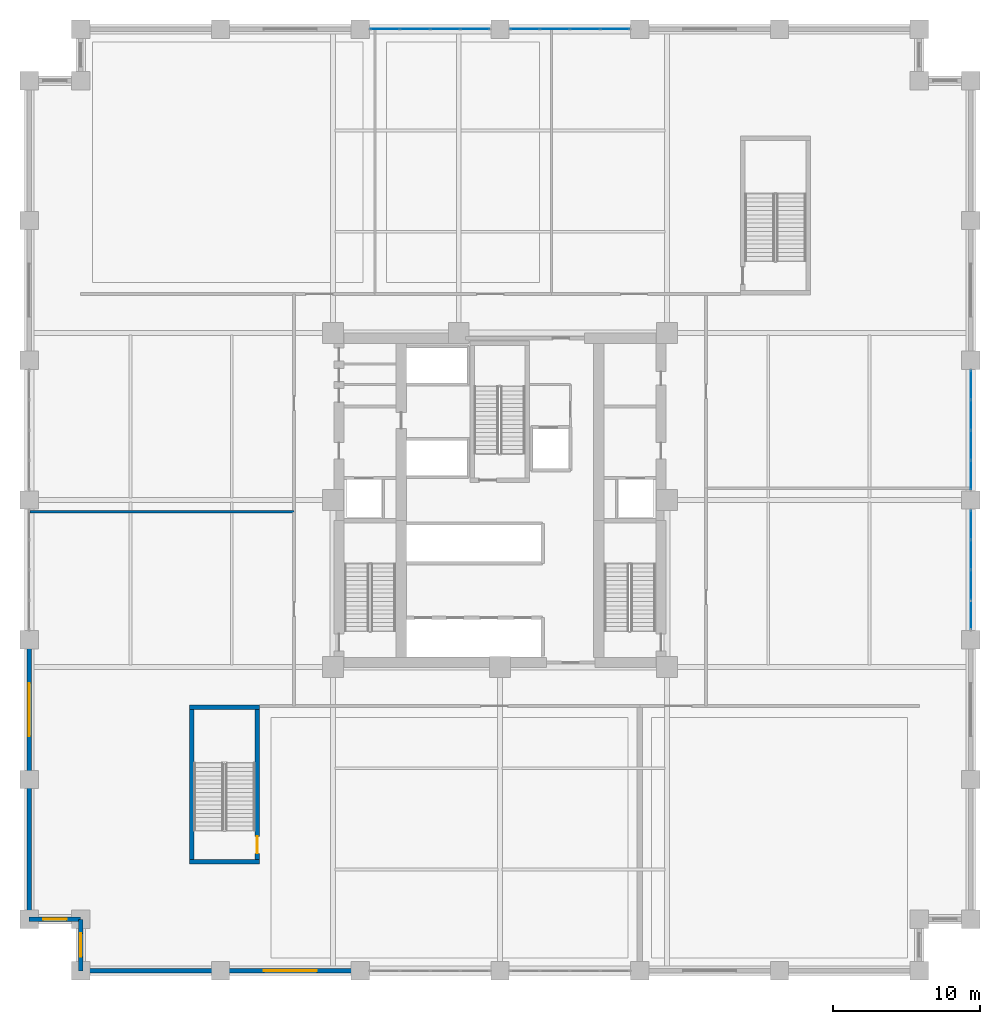
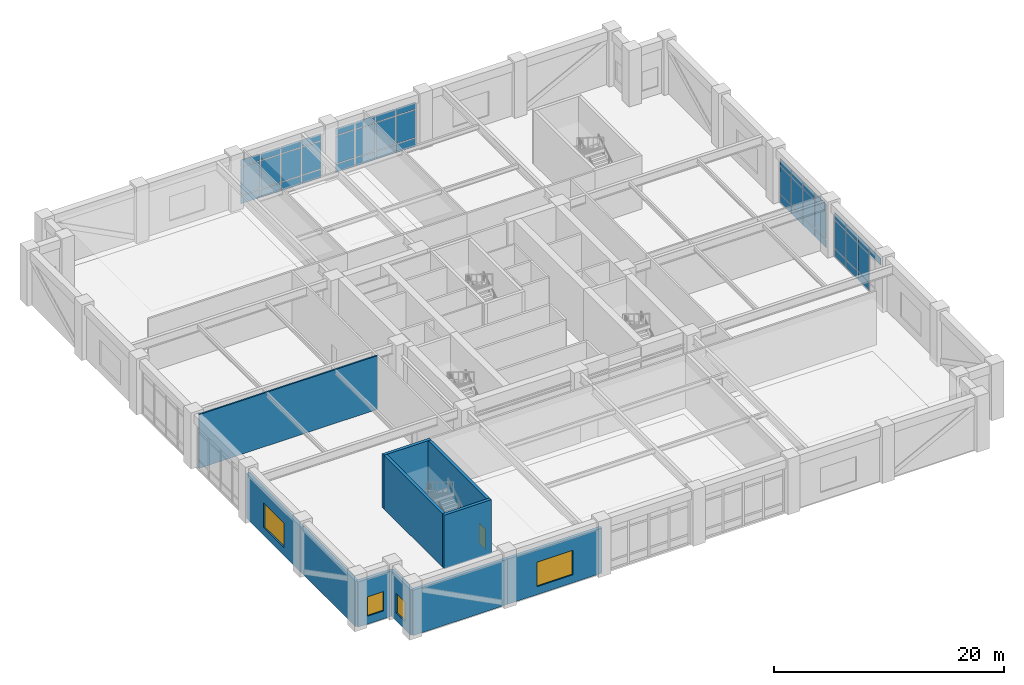
# One storey, part 11 of 21: 46 plates, 11 walls, 4 windows, 1 door, 5 openings, 4 elements without a shape of their own.
"""IFC4 building model written with IfcOpenShell, lengths in metres."""

from ifc_helpers import new_model, si_unit, direction, frame, frame_2d, origin, origin_2d, place, context, subcontext, project, spatial, rectangle, extrude, material, layer, layer_set, type_object, element, fill, aggregate, save


model = new_model("IFC4")

# Units and contexts
model_context = context("Model", 3, precision=1e-05, world=origin(), true_north=direction((0.0, 1.0)))
body_context = subcontext(model_context, "Body", "Model", "MODEL_VIEW")
ifc_project = project(units=[si_unit("LENGTHUNIT", "METRE"), si_unit("AREAUNIT", "SQUARE_METRE"), si_unit("VOLUMEUNIT", "CUBIC_METRE"), si_unit("PLANEANGLEUNIT", "RADIAN"), si_unit("MASSUNIT", "GRAM", prefix="KILO")], contexts=[model_context])

# Site, building, storey
site_placement = place(None, origin())
site = spatial("IfcSite", under=ifc_project, at=site_placement, CompositionType="ELEMENT")
building_placement = place(site_placement, origin())
building = spatial("IfcBuilding", under=site, at=building_placement, Name="Nhamokura Convention Tower", CompositionType="ELEMENT")
storey_placement = place(building_placement, frame((0.0, 0.0, 17.85009765625)))
storey = spatial("IfcBuildingStorey", under=building, at=storey_placement, Name="L03", CompositionType="ELEMENT", Elevation=17.85009765625)

# Curtain wall, plates
ifc_material_1 = material(Name="Anodised bronze aluminium AA6063-T6", Category="aluminium")
ifc_layer_1 = layer(ifc_material_1, 0.199951171875)
ifc_layer_set_1 = layer_set([ifc_layer_1], Name="CWSystem_ConventionFoyer")
curtain_wall_type = type_object("IfcCurtainWallType", Name="CWSystem_ConventionFoyer", PredefinedType="NOTDEFINED", material=ifc_layer_set_1)
curtain_wall_1_placement = place(storey_placement, origin())
curtain_wall_1 = element("IfcCurtainWall", 1, at=curtain_wall_1_placement, inside=storey, type_object=curtain_wall_type, Name="L03 Curtain Wall ENV-L03-CW-N2", PredefinedType="NOTDEFINED")
ifc_material_2 = material(Name="Solar-control bronze low-E double glass", Category="glass")
ifc_layer_2 = layer(ifc_material_2, 0.035888671875)
ifc_layer_set_2 = layer_set([ifc_layer_2], Name="CWGlazedPanel_2")
plate_type = type_object("IfcPlateType", Name="CWGlazedPanel_2", PredefinedType="CURTAIN_PANEL", material=ifc_layer_set_2)
plate_1_placement = place(storey_placement, frame((24.19384765625, 64.0, 0.074951171875), z_axis=(0.0, 0.0, 1.0), x_axis=(1.0, 0.0, 0.0)))
plate_1 = element("IfcPlate", 2, at=plate_1_placement, type_object=plate_type, Name="CW-02 panel 1.1", PredefinedType="CURTAIN_PANEL", context=body_context, shape_type="SweptSolid", body=[
    extrude(rectangle(XDim=1.9375, YDim=0.035888671875, at=origin_2d()), origin(), (0.0, 0.0, 1.0), 0.83740234375),
])
plate_2_placement = place(storey_placement, frame((24.19384765625, 64.0, 0.9873046875), z_axis=(0.0, 0.0, 1.0), x_axis=(1.0, 0.0, 0.0)))
plate_2 = element("IfcPlate", 3, at=plate_2_placement, type_object=plate_type, Name="CW-02 panel 1.2", PredefinedType="CURTAIN_PANEL", context=body_context, shape_type="SweptSolid", body=[
    extrude(rectangle(XDim=1.9375, YDim=0.035888671875, at=origin_2d()), origin(), (0.0, 0.0, 1.0), 2.93505859375),
])
plate_3_placement = place(storey_placement, frame((24.19384765625, 64.0, 3.99755859375), z_axis=(0.0, 0.0, 1.0), x_axis=(1.0, 0.0, 0.0)))
plate_3 = element("IfcPlate", 4, at=plate_3_placement, type_object=plate_type, Name="CW-02 panel 1.3", PredefinedType="CURTAIN_PANEL", context=body_context, shape_type="SweptSolid", body=[
    extrude(rectangle(XDim=1.9375, YDim=0.035888671875, at=origin_2d()), origin(), (0.0, 0.0, 1.0), 0.737548828125),
])
plate_4_placement = place(storey_placement, frame((26.22509765625, 64.0, 0.074951171875), z_axis=(0.0, 0.0, 1.0), x_axis=(1.0, 0.0, 0.0)))
plate_4 = element("IfcPlate", 5, at=plate_4_placement, type_object=plate_type, Name="CW-02 panel 2.1", PredefinedType="CURTAIN_PANEL", context=body_context, shape_type="SweptSolid", body=[
    extrude(rectangle(XDim=1.97509765625, YDim=0.035888671875, at=origin_2d()), origin(), (0.0, 0.0, 1.0), 0.83740234375),
])
plate_5_placement = place(storey_placement, frame((26.22509765625, 64.0, 0.9873046875), z_axis=(0.0, 0.0, 1.0), x_axis=(1.0, 0.0, 0.0)))
plate_5 = element("IfcPlate", 6, at=plate_5_placement, type_object=plate_type, Name="CW-02 panel 2.2", PredefinedType="CURTAIN_PANEL", context=body_context, shape_type="SweptSolid", body=[
    extrude(rectangle(XDim=1.97509765625, YDim=0.035888671875, at=origin_2d()), origin(), (0.0, 0.0, 1.0), 2.93505859375),
])
plate_6_placement = place(storey_placement, frame((26.22509765625, 64.0, 3.99755859375), z_axis=(0.0, 0.0, 1.0), x_axis=(1.0, 0.0, 0.0)))
plate_6 = element("IfcPlate", 7, at=plate_6_placement, type_object=plate_type, Name="CW-02 panel 2.3", PredefinedType="CURTAIN_PANEL", context=body_context, shape_type="SweptSolid", body=[
    extrude(rectangle(XDim=1.97509765625, YDim=0.035888671875, at=origin_2d()), origin(), (0.0, 0.0, 1.0), 0.737548828125),
])
plate_7_placement = place(storey_placement, frame((28.27490234375, 64.0, 0.074951171875), z_axis=(0.0, 0.0, 1.0), x_axis=(1.0, 0.0, 0.0)))
plate_7 = element("IfcPlate", 8, at=plate_7_placement, type_object=plate_type, Name="CW-02 panel 3.1", PredefinedType="CURTAIN_PANEL", context=body_context, shape_type="SweptSolid", body=[
    extrude(rectangle(XDim=1.97509765625, YDim=0.035888671875, at=origin_2d()), origin(), (0.0, 0.0, 1.0), 0.83740234375),
])
plate_8_placement = place(storey_placement, frame((28.27490234375, 64.0, 0.9873046875), z_axis=(0.0, 0.0, 1.0), x_axis=(1.0, 0.0, 0.0)))
plate_8 = element("IfcPlate", 9, at=plate_8_placement, type_object=plate_type, Name="CW-02 panel 3.2", PredefinedType="CURTAIN_PANEL", context=body_context, shape_type="SweptSolid", body=[
    extrude(rectangle(XDim=1.97509765625, YDim=0.035888671875, at=origin_2d()), origin(), (0.0, 0.0, 1.0), 2.93505859375),
])
plate_9_placement = place(storey_placement, frame((28.27490234375, 64.0, 3.99755859375), z_axis=(0.0, 0.0, 1.0), x_axis=(1.0, 0.0, 0.0)))
plate_9 = element("IfcPlate", 10, at=plate_9_placement, type_object=plate_type, Name="CW-02 panel 3.3", PredefinedType="CURTAIN_PANEL", context=body_context, shape_type="SweptSolid", body=[
    extrude(rectangle(XDim=1.97509765625, YDim=0.035888671875, at=origin_2d()), origin(), (0.0, 0.0, 1.0), 0.737548828125),
])
plate_10_placement = place(storey_placement, frame((30.30615234375, 64.0, 0.074951171875), z_axis=(0.0, 0.0, 1.0), x_axis=(1.0, 0.0, 0.0)))
plate_10 = element("IfcPlate", 11, at=plate_10_placement, type_object=plate_type, Name="CW-02 panel 4.1", PredefinedType="CURTAIN_PANEL", context=body_context, shape_type="SweptSolid", body=[
    extrude(rectangle(XDim=1.9375, YDim=0.035888671875, at=origin_2d()), origin(), (0.0, 0.0, 1.0), 0.83740234375),
])
plate_11_placement = place(storey_placement, frame((30.30615234375, 64.0, 0.9873046875), z_axis=(0.0, 0.0, 1.0), x_axis=(1.0, 0.0, 0.0)))
plate_11 = element("IfcPlate", 12, at=plate_11_placement, type_object=plate_type, Name="CW-02 panel 4.2", PredefinedType="CURTAIN_PANEL", context=body_context, shape_type="SweptSolid", body=[
    extrude(rectangle(XDim=1.9375, YDim=0.035888671875, at=origin_2d()), origin(), (0.0, 0.0, 1.0), 2.93505859375),
])
plate_12_placement = place(storey_placement, frame((30.30615234375, 64.0, 3.99755859375), z_axis=(0.0, 0.0, 1.0), x_axis=(1.0, 0.0, 0.0)))
plate_12 = element("IfcPlate", 13, at=plate_12_placement, type_object=plate_type, Name="CW-02 panel 4.3", PredefinedType="CURTAIN_PANEL", context=body_context, shape_type="SweptSolid", body=[
    extrude(rectangle(XDim=1.9375, YDim=0.035888671875, at=origin_2d()), origin(), (0.0, 0.0, 1.0), 0.737548828125),
])
aggregate(curtain_wall_1, [plate_1, plate_2, plate_3, plate_4, plate_5, plate_6, plate_7, plate_8, plate_9, plate_10, plate_11, plate_12])

curtain_wall_2_placement = place(storey_placement, origin())
curtain_wall_2 = element("IfcCurtainWall", 14, at=curtain_wall_2_placement, inside=storey, type_object=curtain_wall_type, Name="L03 Curtain Wall ENV-L03-CW-N3", PredefinedType="NOTDEFINED")
plate_13_placement = place(storey_placement, frame((33.69384765625, 64.0, 0.074951171875), z_axis=(0.0, 0.0, 1.0), x_axis=(1.0, 0.0, 0.0)))
plate_13 = element("IfcPlate", 15, at=plate_13_placement, type_object=plate_type, Name="CW-02 panel 1.1", PredefinedType="CURTAIN_PANEL", context=body_context, shape_type="SweptSolid", body=[
    extrude(rectangle(XDim=1.9375, YDim=0.035888671875, at=origin_2d()), origin(), (0.0, 0.0, 1.0), 0.83740234375),
])
plate_14_placement = place(storey_placement, frame((33.69384765625, 64.0, 0.9873046875), z_axis=(0.0, 0.0, 1.0), x_axis=(1.0, 0.0, 0.0)))
plate_14 = element("IfcPlate", 16, at=plate_14_placement, type_object=plate_type, Name="CW-02 panel 1.2", PredefinedType="CURTAIN_PANEL", context=body_context, shape_type="SweptSolid", body=[
    extrude(rectangle(XDim=1.9375, YDim=0.035888671875, at=origin_2d()), origin(), (0.0, 0.0, 1.0), 2.93505859375),
])
plate_15_placement = place(storey_placement, frame((33.69384765625, 64.0, 3.99755859375), z_axis=(0.0, 0.0, 1.0), x_axis=(1.0, 0.0, 0.0)))
plate_15 = element("IfcPlate", 17, at=plate_15_placement, type_object=plate_type, Name="CW-02 panel 1.3", PredefinedType="CURTAIN_PANEL", context=body_context, shape_type="SweptSolid", body=[
    extrude(rectangle(XDim=1.9375, YDim=0.035888671875, at=origin_2d()), origin(), (0.0, 0.0, 1.0), 0.737548828125),
])
plate_16_placement = place(storey_placement, frame((35.72509765625, 64.0, 0.074951171875), z_axis=(0.0, 0.0, 1.0), x_axis=(1.0, 0.0, 0.0)))
plate_16 = element("IfcPlate", 18, at=plate_16_placement, type_object=plate_type, Name="CW-02 panel 2.1", PredefinedType="CURTAIN_PANEL", context=body_context, shape_type="SweptSolid", body=[
    extrude(rectangle(XDim=1.97509765625, YDim=0.035888671875, at=origin_2d()), origin(), (0.0, 0.0, 1.0), 0.83740234375),
])
plate_17_placement = place(storey_placement, frame((35.72509765625, 64.0, 0.9873046875), z_axis=(0.0, 0.0, 1.0), x_axis=(1.0, 0.0, 0.0)))
plate_17 = element("IfcPlate", 19, at=plate_17_placement, type_object=plate_type, Name="CW-02 panel 2.2", PredefinedType="CURTAIN_PANEL", context=body_context, shape_type="SweptSolid", body=[
    extrude(rectangle(XDim=1.97509765625, YDim=0.035888671875, at=origin_2d()), origin(), (0.0, 0.0, 1.0), 2.93505859375),
])
plate_18_placement = place(storey_placement, frame((35.72509765625, 64.0, 3.99755859375), z_axis=(0.0, 0.0, 1.0), x_axis=(1.0, 0.0, 0.0)))
plate_18 = element("IfcPlate", 20, at=plate_18_placement, type_object=plate_type, Name="CW-02 panel 2.3", PredefinedType="CURTAIN_PANEL", context=body_context, shape_type="SweptSolid", body=[
    extrude(rectangle(XDim=1.97509765625, YDim=0.035888671875, at=origin_2d()), origin(), (0.0, 0.0, 1.0), 0.737548828125),
])
plate_19_placement = place(storey_placement, frame((37.77490234375, 64.0, 0.074951171875), z_axis=(0.0, 0.0, 1.0), x_axis=(1.0, 0.0, 0.0)))
plate_19 = element("IfcPlate", 21, at=plate_19_placement, type_object=plate_type, Name="CW-02 panel 3.1", PredefinedType="CURTAIN_PANEL", context=body_context, shape_type="SweptSolid", body=[
    extrude(rectangle(XDim=1.97509765625, YDim=0.035888671875, at=origin_2d()), origin(), (0.0, 0.0, 1.0), 0.83740234375),
])
plate_20_placement = place(storey_placement, frame((37.77490234375, 64.0, 0.9873046875), z_axis=(0.0, 0.0, 1.0), x_axis=(1.0, 0.0, 0.0)))
plate_20 = element("IfcPlate", 22, at=plate_20_placement, type_object=plate_type, Name="CW-02 panel 3.2", PredefinedType="CURTAIN_PANEL", context=body_context, shape_type="SweptSolid", body=[
    extrude(rectangle(XDim=1.97509765625, YDim=0.035888671875, at=origin_2d()), origin(), (0.0, 0.0, 1.0), 2.93505859375),
])
plate_21_placement = place(storey_placement, frame((37.77490234375, 64.0, 3.99755859375), z_axis=(0.0, 0.0, 1.0), x_axis=(1.0, 0.0, 0.0)))
plate_21 = element("IfcPlate", 23, at=plate_21_placement, type_object=plate_type, Name="CW-02 panel 3.3", PredefinedType="CURTAIN_PANEL", context=body_context, shape_type="SweptSolid", body=[
    extrude(rectangle(XDim=1.97509765625, YDim=0.035888671875, at=origin_2d()), origin(), (0.0, 0.0, 1.0), 0.737548828125),
])
plate_22_placement = place(storey_placement, frame((39.80615234375, 64.0, 0.074951171875), z_axis=(0.0, 0.0, 1.0), x_axis=(1.0, 0.0, 0.0)))
plate_22 = element("IfcPlate", 24, at=plate_22_placement, type_object=plate_type, Name="CW-02 panel 4.1", PredefinedType="CURTAIN_PANEL", context=body_context, shape_type="SweptSolid", body=[
    extrude(rectangle(XDim=1.9375, YDim=0.035888671875, at=origin_2d()), origin(), (0.0, 0.0, 1.0), 0.83740234375),
])
plate_23_placement = place(storey_placement, frame((39.80615234375, 64.0, 0.9873046875), z_axis=(0.0, 0.0, 1.0), x_axis=(1.0, 0.0, 0.0)))
plate_23 = element("IfcPlate", 25, at=plate_23_placement, type_object=plate_type, Name="CW-02 panel 4.2", PredefinedType="CURTAIN_PANEL", context=body_context, shape_type="SweptSolid", body=[
    extrude(rectangle(XDim=1.9375, YDim=0.035888671875, at=origin_2d()), origin(), (0.0, 0.0, 1.0), 2.93505859375),
])
plate_24_placement = place(storey_placement, frame((39.80615234375, 64.0, 3.99755859375), z_axis=(0.0, 0.0, 1.0), x_axis=(1.0, 0.0, 0.0)))
plate_24 = element("IfcPlate", 26, at=plate_24_placement, type_object=plate_type, Name="CW-02 panel 4.3", PredefinedType="CURTAIN_PANEL", context=body_context, shape_type="SweptSolid", body=[
    extrude(rectangle(XDim=1.9375, YDim=0.035888671875, at=origin_2d()), origin(), (0.0, 0.0, 1.0), 0.737548828125),
])
aggregate(curtain_wall_2, [plate_13, plate_14, plate_15, plate_16, plate_17, plate_18, plate_19, plate_20, plate_21, plate_22, plate_23, plate_24])

curtain_wall_3_placement = place(storey_placement, origin())
curtain_wall_3 = element("IfcCurtainWall", 27, at=curtain_wall_3_placement, inside=storey, type_object=curtain_wall_type, Name="L03 Curtain Wall ENV-L03-CW-E2", PredefinedType="NOTDEFINED")
plate_25_placement = place(storey_placement, frame((64.0, 30.30615234375, 0.074951171875), z_axis=(0.0, 0.0, 1.0), x_axis=(0.0, -1.0, 0.0)))
plate_25 = element("IfcPlate", 28, at=plate_25_placement, type_object=plate_type, Name="CW-02 panel 1.1", PredefinedType="CURTAIN_PANEL", context=body_context, shape_type="SweptSolid", body=[
    extrude(rectangle(XDim=1.9375, YDim=0.035888671875, at=origin_2d()), origin(), (0.0, 0.0, 1.0), 0.83740234375),
])
plate_26_placement = place(storey_placement, frame((64.0, 30.30615234375, 0.9873046875), z_axis=(0.0, 0.0, 1.0), x_axis=(0.0, -1.0, 0.0)))
plate_26 = element("IfcPlate", 29, at=plate_26_placement, type_object=plate_type, Name="CW-02 panel 1.2", PredefinedType="CURTAIN_PANEL", context=body_context, shape_type="SweptSolid", body=[
    extrude(rectangle(XDim=1.9375, YDim=0.035888671875, at=origin_2d()), origin(), (0.0, 0.0, 1.0), 2.93505859375),
])
plate_27_placement = place(storey_placement, frame((64.0, 30.30615234375, 3.99755859375), z_axis=(0.0, 0.0, 1.0), x_axis=(0.0, -1.0, 0.0)))
plate_27 = element("IfcPlate", 30, at=plate_27_placement, type_object=plate_type, Name="CW-02 panel 1.3", PredefinedType="CURTAIN_PANEL", context=body_context, shape_type="SweptSolid", body=[
    extrude(rectangle(XDim=1.9375, YDim=0.035888671875, at=origin_2d()), origin(), (0.0, 0.0, 1.0), 0.737548828125),
])
plate_28_placement = place(storey_placement, frame((64.0, 28.27490234375, 0.074951171875), z_axis=(0.0, 0.0, 1.0), x_axis=(0.0, -1.0, 0.0)))
plate_28 = element("IfcPlate", 31, at=plate_28_placement, type_object=plate_type, Name="CW-02 panel 2.1", PredefinedType="CURTAIN_PANEL", context=body_context, shape_type="SweptSolid", body=[
    extrude(rectangle(XDim=1.97509765625, YDim=0.035888671875, at=origin_2d()), origin(), (0.0, 0.0, 1.0), 0.83740234375),
])
plate_29_placement = place(storey_placement, frame((64.0, 28.27490234375, 0.9873046875), z_axis=(0.0, 0.0, 1.0), x_axis=(0.0, -1.0, 0.0)))
plate_29 = element("IfcPlate", 32, at=plate_29_placement, type_object=plate_type, Name="CW-02 panel 2.2", PredefinedType="CURTAIN_PANEL", context=body_context, shape_type="SweptSolid", body=[
    extrude(rectangle(XDim=1.97509765625, YDim=0.035888671875, at=origin_2d()), origin(), (0.0, 0.0, 1.0), 2.93505859375),
])
plate_30_placement = place(storey_placement, frame((64.0, 28.27490234375, 3.99755859375), z_axis=(0.0, 0.0, 1.0), x_axis=(0.0, -1.0, 0.0)))
plate_30 = element("IfcPlate", 33, at=plate_30_placement, type_object=plate_type, Name="CW-02 panel 2.3", PredefinedType="CURTAIN_PANEL", context=body_context, shape_type="SweptSolid", body=[
    extrude(rectangle(XDim=1.97509765625, YDim=0.035888671875, at=origin_2d()), origin(), (0.0, 0.0, 1.0), 0.737548828125),
])
plate_31_placement = place(storey_placement, frame((64.0, 26.22509765625, 0.074951171875), z_axis=(0.0, 0.0, 1.0), x_axis=(0.0, -1.0, 0.0)))
plate_31 = element("IfcPlate", 34, at=plate_31_placement, type_object=plate_type, Name="CW-02 panel 3.1", PredefinedType="CURTAIN_PANEL", context=body_context, shape_type="SweptSolid", body=[
    extrude(rectangle(XDim=1.97509765625, YDim=0.035888671875, at=origin_2d()), origin(), (0.0, 0.0, 1.0), 0.83740234375),
])
plate_32_placement = place(storey_placement, frame((64.0, 26.22509765625, 0.9873046875), z_axis=(0.0, 0.0, 1.0), x_axis=(0.0, -1.0, 0.0)))
plate_32 = element("IfcPlate", 35, at=plate_32_placement, type_object=plate_type, Name="CW-02 panel 3.2", PredefinedType="CURTAIN_PANEL", context=body_context, shape_type="SweptSolid", body=[
    extrude(rectangle(XDim=1.97509765625, YDim=0.035888671875, at=origin_2d()), origin(), (0.0, 0.0, 1.0), 2.93505859375),
])
plate_33_placement = place(storey_placement, frame((64.0, 26.22509765625, 3.99755859375), z_axis=(0.0, 0.0, 1.0), x_axis=(0.0, -1.0, 0.0)))
plate_33 = element("IfcPlate", 36, at=plate_33_placement, type_object=plate_type, Name="CW-02 panel 3.3", PredefinedType="CURTAIN_PANEL", context=body_context, shape_type="SweptSolid", body=[
    extrude(rectangle(XDim=1.97509765625, YDim=0.035888671875, at=origin_2d()), origin(), (0.0, 0.0, 1.0), 0.737548828125),
])
plate_34_placement = place(storey_placement, frame((64.0, 24.19384765625, 3.99755859375), z_axis=(0.0, 0.0, 1.0), x_axis=(0.0, -1.0, 0.0)))
plate_34 = element("IfcPlate", 37, at=plate_34_placement, type_object=plate_type, Name="CW-02 panel 4.3", PredefinedType="CURTAIN_PANEL", context=body_context, shape_type="SweptSolid", body=[
    extrude(rectangle(XDim=1.9375, YDim=0.035888671875, at=origin_2d()), origin(), (0.0, 0.0, 1.0), 0.737548828125),
])
aggregate(curtain_wall_3, [plate_25, plate_26, plate_27, plate_28, plate_29, plate_30, plate_31, plate_32, plate_33, plate_34])

curtain_wall_4_placement = place(storey_placement, origin())
curtain_wall_4 = element("IfcCurtainWall", 38, at=curtain_wall_4_placement, inside=storey, type_object=curtain_wall_type, Name="L03 Curtain Wall ENV-L03-CW-E3", PredefinedType="NOTDEFINED")
plate_35_placement = place(storey_placement, frame((64.0, 39.80615234375, 0.074951171875), z_axis=(0.0, 0.0, 1.0), x_axis=(0.0, -1.0, 0.0)))
plate_35 = element("IfcPlate", 39, at=plate_35_placement, type_object=plate_type, Name="CW-02 panel 1.1", PredefinedType="CURTAIN_PANEL", context=body_context, shape_type="SweptSolid", body=[
    extrude(rectangle(XDim=1.9375, YDim=0.035888671875, at=origin_2d()), origin(), (0.0, 0.0, 1.0), 0.83740234375),
])
plate_36_placement = place(storey_placement, frame((64.0, 39.80615234375, 0.9873046875), z_axis=(0.0, 0.0, 1.0), x_axis=(0.0, -1.0, 0.0)))
plate_36 = element("IfcPlate", 40, at=plate_36_placement, type_object=plate_type, Name="CW-02 panel 1.2", PredefinedType="CURTAIN_PANEL", context=body_context, shape_type="SweptSolid", body=[
    extrude(rectangle(XDim=1.9375, YDim=0.035888671875, at=origin_2d()), origin(), (0.0, 0.0, 1.0), 2.93505859375),
])
plate_37_placement = place(storey_placement, frame((64.0, 39.80615234375, 3.99755859375), z_axis=(0.0, 0.0, 1.0), x_axis=(0.0, -1.0, 0.0)))
plate_37 = element("IfcPlate", 41, at=plate_37_placement, type_object=plate_type, Name="CW-02 panel 1.3", PredefinedType="CURTAIN_PANEL", context=body_context, shape_type="SweptSolid", body=[
    extrude(rectangle(XDim=1.9375, YDim=0.035888671875, at=origin_2d()), origin(), (0.0, 0.0, 1.0), 0.737548828125),
])
plate_38_placement = place(storey_placement, frame((64.0, 37.77490234375, 0.074951171875), z_axis=(0.0, 0.0, 1.0), x_axis=(0.0, -1.0, 0.0)))
plate_38 = element("IfcPlate", 42, at=plate_38_placement, type_object=plate_type, Name="CW-02 panel 2.1", PredefinedType="CURTAIN_PANEL", context=body_context, shape_type="SweptSolid", body=[
    extrude(rectangle(XDim=1.97509765625, YDim=0.035888671875, at=origin_2d()), origin(), (0.0, 0.0, 1.0), 0.83740234375),
])
plate_39_placement = place(storey_placement, frame((64.0, 37.77490234375, 0.9873046875), z_axis=(0.0, 0.0, 1.0), x_axis=(0.0, -1.0, 0.0)))
plate_39 = element("IfcPlate", 43, at=plate_39_placement, type_object=plate_type, Name="CW-02 panel 2.2", PredefinedType="CURTAIN_PANEL", context=body_context, shape_type="SweptSolid", body=[
    extrude(rectangle(XDim=1.97509765625, YDim=0.035888671875, at=origin_2d()), origin(), (0.0, 0.0, 1.0), 2.93505859375),
])
plate_40_placement = place(storey_placement, frame((64.0, 37.77490234375, 3.99755859375), z_axis=(0.0, 0.0, 1.0), x_axis=(0.0, -1.0, 0.0)))
plate_40 = element("IfcPlate", 44, at=plate_40_placement, type_object=plate_type, Name="CW-02 panel 2.3", PredefinedType="CURTAIN_PANEL", context=body_context, shape_type="SweptSolid", body=[
    extrude(rectangle(XDim=1.97509765625, YDim=0.035888671875, at=origin_2d()), origin(), (0.0, 0.0, 1.0), 0.737548828125),
])
plate_41_placement = place(storey_placement, frame((64.0, 35.72509765625, 0.074951171875), z_axis=(0.0, 0.0, 1.0), x_axis=(0.0, -1.0, 0.0)))
plate_41 = element("IfcPlate", 45, at=plate_41_placement, type_object=plate_type, Name="CW-02 panel 3.1", PredefinedType="CURTAIN_PANEL", context=body_context, shape_type="SweptSolid", body=[
    extrude(rectangle(XDim=1.97509765625, YDim=0.035888671875, at=origin_2d()), origin(), (0.0, 0.0, 1.0), 0.83740234375),
])
plate_42_placement = place(storey_placement, frame((64.0, 35.72509765625, 0.9873046875), z_axis=(0.0, 0.0, 1.0), x_axis=(0.0, -1.0, 0.0)))
plate_42 = element("IfcPlate", 46, at=plate_42_placement, type_object=plate_type, Name="CW-02 panel 3.2", PredefinedType="CURTAIN_PANEL", context=body_context, shape_type="SweptSolid", body=[
    extrude(rectangle(XDim=1.97509765625, YDim=0.035888671875, at=origin_2d()), origin(), (0.0, 0.0, 1.0), 2.93505859375),
])
plate_43_placement = place(storey_placement, frame((64.0, 35.72509765625, 3.99755859375), z_axis=(0.0, 0.0, 1.0), x_axis=(0.0, -1.0, 0.0)))
plate_43 = element("IfcPlate", 47, at=plate_43_placement, type_object=plate_type, Name="CW-02 panel 3.3", PredefinedType="CURTAIN_PANEL", context=body_context, shape_type="SweptSolid", body=[
    extrude(rectangle(XDim=1.97509765625, YDim=0.035888671875, at=origin_2d()), origin(), (0.0, 0.0, 1.0), 0.737548828125),
])
plate_44_placement = place(storey_placement, frame((64.0, 33.69384765625, 0.074951171875), z_axis=(0.0, 0.0, 1.0), x_axis=(0.0, -1.0, 0.0)))
plate_44 = element("IfcPlate", 48, at=plate_44_placement, type_object=plate_type, Name="CW-02 panel 4.1", PredefinedType="CURTAIN_PANEL", context=body_context, shape_type="SweptSolid", body=[
    extrude(rectangle(XDim=1.9375, YDim=0.035888671875, at=origin_2d()), origin(), (0.0, 0.0, 1.0), 0.83740234375),
])
plate_45_placement = place(storey_placement, frame((64.0, 33.69384765625, 0.9873046875), z_axis=(0.0, 0.0, 1.0), x_axis=(0.0, -1.0, 0.0)))
plate_45 = element("IfcPlate", 49, at=plate_45_placement, type_object=plate_type, Name="CW-02 panel 4.2", PredefinedType="CURTAIN_PANEL", context=body_context, shape_type="SweptSolid", body=[
    extrude(rectangle(XDim=1.9375, YDim=0.035888671875, at=origin_2d()), origin(), (0.0, 0.0, 1.0), 2.93505859375),
])
plate_46_placement = place(storey_placement, frame((64.0, 33.69384765625, 3.99755859375), z_axis=(0.0, 0.0, 1.0), x_axis=(0.0, -1.0, 0.0)))
plate_46 = element("IfcPlate", 50, at=plate_46_placement, type_object=plate_type, Name="CW-02 panel 4.3", PredefinedType="CURTAIN_PANEL", context=body_context, shape_type="SweptSolid", body=[
    extrude(rectangle(XDim=1.9375, YDim=0.035888671875, at=origin_2d()), origin(), (0.0, 0.0, 1.0), 0.737548828125),
])
aggregate(curtain_wall_4, [plate_35, plate_36, plate_37, plate_38, plate_39, plate_40, plate_41, plate_42, plate_43, plate_44, plate_45, plate_46])

# Wall
ifc_material_3 = material(Name="Bronze-pigmented precast concrete C45/55", Category="concrete")
ifc_layer_3 = layer(ifc_material_3, 0.320068359375)
ifc_layer_set_3 = layer_set([ifc_layer_3], Name="BronzePrecastSpandrel_320")
wall_type_1 = type_object("IfcWallType", Name="BronzePrecastSpandrel_320", PredefinedType="USERDEFINED", material=ifc_layer_set_3)
wall_1_placement = place(storey_placement, frame((13.0, 0.0, 0.0), z_axis=(0.0, 0.0, 1.0), x_axis=(-1.0, 0.0, 0.0)))
element("IfcWall", 51, at=wall_1_placement, inside=storey, type_object=wall_type_1, Name="L03 Braced-Bay Precast Wall SOUTH 0", ObjectType="SPANDREL_WALL", PredefinedType="USERDEFINED", context=body_context, shape_type="SweptSolid", body=[
    extrude(rectangle(XDim=9.5, YDim=0.320068359375, at=frame_2d((4.75, 0.0))), origin(), (0.0, 0.0, 1.0), 4.809814453125),
])

# Wall, opening, window
wall_2_placement = place(storey_placement, frame((22.5, 0.0, 0.0), z_axis=(0.0, 0.0, 1.0), x_axis=(-1.0, 0.0, 0.0)))
wall_2 = element("IfcWall", 52, at=wall_2_placement, inside=storey, type_object=wall_type_1, Name="L03 Masonry-Frame Wall SOUTH 1", ObjectType="SPANDREL_WALL", PredefinedType="USERDEFINED", context=body_context, shape_type="SweptSolid", body=[
    extrude(rectangle(XDim=9.5, YDim=0.320068359375, at=frame_2d((4.75, 0.0))), origin(), (0.0, 0.0, 1.0), 4.809814453125),
])
opening_1_placement = place(wall_2_placement, frame((2.949951171875, 0.0, 0.85009765625)))
opening_1 = element("IfcOpeningElement", 53, at=opening_1_placement, cuts=wall_2, Name="Opening W-01", PredefinedType="OPENING", context=body_context, shape_type="SweptSolid", body=[
    extrude(rectangle(XDim=3.60009765625, YDim=2.60009765625, at=frame_2d((1.800048828125, 1.300048828125))), frame((0.0, 0.169921875, 0.0), z_axis=(0.0, -1.0, 0.0), x_axis=(1.0, 0.0, 0.0)), (0.0, 0.0, 1.0), 0.340087890625),
])
ifc_material_4 = material(Name="Solar-control bronze low-E double glass", Category="glass")
window_type_1 = type_object("IfcWindowType", Name="PodiumClerestoryWindow_3600", PartitioningType="TRIPLE_PANEL_VERTICAL", PredefinedType="WINDOW", material=ifc_material_4)
window_1_placement = place(opening_1_placement, origin())
window_1 = element("IfcWindow", 54, at=window_1_placement, inside=storey, type_object=window_type_1, Name="L03 Facade Window SOUTH 1", OverallHeight=2.60009765625, OverallWidth=3.60009765625, PartitioningType="SINGLE_PANEL", PredefinedType="WINDOW", context=body_context, shape_type="SweptSolid", body=[
    extrude(rectangle(XDim=3.60009765625, YDim=2.60009765625, at=frame_2d((1.800048828125, 1.300048828125))), frame((0.0, 0.030029296875, 0.0), z_axis=(0.0, -1.0, 0.0), x_axis=(1.0, 0.0, 0.0)), (0.0, 0.0, 1.0), 0.06005859375),
])
fill(opening_1, window_1)

# Wall
wall_3_placement = place(storey_placement, frame((0.0, 3.5, 0.0), z_axis=(0.0, 0.0, 1.0), x_axis=(0.0, 1.0, 0.0)))
element("IfcWall", 55, at=wall_3_placement, inside=storey, type_object=wall_type_1, Name="L03 Braced-Bay Precast Wall WEST 0", ObjectType="SPANDREL_WALL", PredefinedType="USERDEFINED", context=body_context, shape_type="SweptSolid", body=[
    extrude(rectangle(XDim=9.5, YDim=0.320068359375, at=frame_2d((4.75, 0.0))), origin(), (0.0, 0.0, 1.0), 4.809814453125),
])

# Wall, opening, window
wall_4_placement = place(storey_placement, frame((0.0, 13.0, 0.0), z_axis=(0.0, 0.0, 1.0), x_axis=(0.0, 1.0, 0.0)))
wall_4 = element("IfcWall", 56, at=wall_4_placement, inside=storey, type_object=wall_type_1, Name="L03 Masonry-Frame Wall WEST 1", ObjectType="SPANDREL_WALL", PredefinedType="USERDEFINED", context=body_context, shape_type="SweptSolid", body=[
    extrude(rectangle(XDim=9.5, YDim=0.320068359375, at=frame_2d((4.75, 0.0))), origin(), (0.0, 0.0, 1.0), 4.809814453125),
])
opening_2_placement = place(wall_4_placement, frame((2.949951171875, 0.0, 0.85009765625)))
opening_2 = element("IfcOpeningElement", 57, at=opening_2_placement, cuts=wall_4, Name="Opening W-01", PredefinedType="OPENING", context=body_context, shape_type="SweptSolid", body=[
    extrude(rectangle(XDim=3.60009765625, YDim=2.60009765625, at=frame_2d((1.800048828125, 1.300048828125))), frame((0.0, 0.169921875, 0.0), z_axis=(0.0, -1.0, 0.0), x_axis=(1.0, 0.0, 0.0)), (0.0, 0.0, 1.0), 0.340087890625),
])
window_2_placement = place(opening_2_placement, origin())
window_2 = element("IfcWindow", 58, at=window_2_placement, inside=storey, type_object=window_type_1, Name="L03 Facade Window WEST 1", OverallHeight=2.60009765625, OverallWidth=3.60009765625, PartitioningType="SINGLE_PANEL", PredefinedType="WINDOW", context=body_context, shape_type="SweptSolid", body=[
    extrude(rectangle(XDim=3.60009765625, YDim=2.60009765625, at=frame_2d((1.800048828125, 1.300048828125))), frame((0.0, 0.030029296875, 0.0), z_axis=(0.0, -1.0, 0.0), x_axis=(1.0, 0.0, 0.0)), (0.0, 0.0, 1.0), 0.06005859375),
])
fill(opening_2, window_2)

wall_5_placement = place(storey_placement, frame((3.5, 0.0, 0.0), z_axis=(0.0, 0.0, 1.0), x_axis=(0.0, 1.0, 0.0)))
wall_5 = element("IfcWall", 59, at=wall_5_placement, inside=storey, type_object=wall_type_1, Name="L03 Notched Corner Wall SW1", ObjectType="SPANDREL_WALL", PredefinedType="USERDEFINED", context=body_context, shape_type="SweptSolid", body=[
    extrude(rectangle(XDim=3.5, YDim=0.320068359375, at=frame_2d((1.75, 0.0))), origin(), (0.0, 0.0, 1.0), 4.809814453125),
])
opening_3_placement = place(wall_5_placement, frame((0.949951171875, 0.0, 0.85009765625)))
opening_3 = element("IfcOpeningElement", 60, at=opening_3_placement, cuts=wall_5, Name="Opening W-11", PredefinedType="OPENING", context=body_context, shape_type="SweptSolid", body=[
    extrude(rectangle(XDim=1.60009765625, YDim=2.050048828125, at=frame_2d((0.800048828125, 1.02490234375))), frame((0.0, 0.169921875, 0.0), z_axis=(0.0, -1.0, 0.0), x_axis=(1.0, 0.0, 0.0)), (0.0, 0.0, 1.0), 0.340087890625),
])
ifc_material_5 = material(Name="Solar-control bronze low-E double glass", Category="glass")
window_type_2 = type_object("IfcWindowType", Name="NotchCornerWindow_1600", PartitioningType="SINGLE_PANEL", PredefinedType="WINDOW", material=ifc_material_5)
window_3_placement = place(opening_3_placement, origin())
window_3 = element("IfcWindow", 61, at=window_3_placement, inside=storey, type_object=window_type_2, Name="L03 Notched Corner Window SW1", OverallHeight=2.050048828125, OverallWidth=1.60009765625, PartitioningType="SINGLE_PANEL", PredefinedType="WINDOW", context=body_context, shape_type="SweptSolid", body=[
    extrude(rectangle(XDim=1.60009765625, YDim=2.050048828125, at=frame_2d((0.800048828125, 1.02490234375))), frame((0.0, 0.030029296875, 0.0), z_axis=(0.0, -1.0, 0.0), x_axis=(1.0, 0.0, 0.0)), (0.0, 0.0, 1.0), 0.06005859375),
])
fill(opening_3, window_3)

wall_6_placement = place(storey_placement, frame((3.5, 3.5, 0.0), z_axis=(0.0, 0.0, 1.0), x_axis=(-1.0, 0.0, 0.0)))
wall_6 = element("IfcWall", 62, at=wall_6_placement, inside=storey, type_object=wall_type_1, Name="L03 Notched Corner Wall SW2", ObjectType="SPANDREL_WALL", PredefinedType="USERDEFINED", context=body_context, shape_type="SweptSolid", body=[
    extrude(rectangle(XDim=3.5, YDim=0.320068359375, at=frame_2d((1.75, 0.0))), origin(), (0.0, 0.0, 1.0), 4.809814453125),
])
opening_4_placement = place(wall_6_placement, frame((0.949951171875, 0.0, 0.85009765625)))
opening_4 = element("IfcOpeningElement", 63, at=opening_4_placement, cuts=wall_6, Name="Opening W-11", PredefinedType="OPENING", context=body_context, shape_type="SweptSolid", body=[
    extrude(rectangle(XDim=1.60009765625, YDim=2.050048828125, at=frame_2d((0.800048828125, 1.02490234375))), frame((0.0, 0.169921875, 0.0), z_axis=(0.0, -1.0, 0.0), x_axis=(1.0, 0.0, 0.0)), (0.0, 0.0, 1.0), 0.340087890625),
])
window_4_placement = place(opening_4_placement, origin())
window_4 = element("IfcWindow", 64, at=window_4_placement, inside=storey, type_object=window_type_2, Name="L03 Notched Corner Window SW2", OverallHeight=2.050048828125, OverallWidth=1.60009765625, PartitioningType="SINGLE_PANEL", PredefinedType="WINDOW", context=body_context, shape_type="SweptSolid", body=[
    extrude(rectangle(XDim=1.60009765625, YDim=2.050048828125, at=frame_2d((0.800048828125, 1.02490234375))), frame((0.0, 0.030029296875, 0.0), z_axis=(0.0, -1.0, 0.0), x_axis=(1.0, 0.0, 0.0)), (0.0, 0.0, 1.0), 0.06005859375),
])
fill(opening_4, window_4)

# Walls
ifc_material_6 = material(Name="Acoustic gypsum stud partition", Category="masonry")
ifc_layer_4 = layer(ifc_material_6, 0.14990234375)
ifc_layer_set_4 = layer_set([ifc_layer_4], Name="InteriorPartition_150")
wall_type_2 = type_object("IfcWallType", Name="InteriorPartition_150", PredefinedType="STANDARD", material=ifc_layer_set_4)
wall_7_placement = place(storey_placement, frame((0.06005859375, 31.199951171875, 0.0), z_axis=(0.0, 0.0, 1.0), x_axis=(1.0, 0.0, 0.0)))
element("IfcWall", 65, at=wall_7_placement, inside=storey, type_object=wall_type_2, Name="L03 Wall INT-L03-RW-W01", PredefinedType="STANDARD", context=body_context, shape_type="SweptSolid", body=[
    extrude(rectangle(XDim=17.93994140625, YDim=0.14990234375, at=frame_2d((8.969970703125, 0.0))), origin(), (0.0, 0.0, 1.0), 5.7099609375),
])
ifc_material_7 = material(Name="Concrete C50/60", Category="concrete")
ifc_layer_5 = layer(ifc_material_7, 0.300048828125)
ifc_layer_set_5 = layer_set([ifc_layer_5], Name="ShaftEnclosureWall_300")
wall_type_3 = type_object("IfcWallType", Name="ShaftEnclosureWall_300", PredefinedType="SHEAR", material=ifc_layer_set_5)
wall_8_placement = place(storey_placement, frame((11.050048828125, 7.39990234375, 0.0), z_axis=(0.0, 0.0, 1.0), x_axis=(0.0, 1.0, 0.0)))
element("IfcWall", 66, at=wall_8_placement, inside=storey, type_object=wall_type_3, Name="L03 Wall INT-L03-ST04-W", PredefinedType="SHEAR", context=body_context, shape_type="SweptSolid", body=[
    extrude(rectangle(XDim=10.5, YDim=0.300048828125, at=frame_2d((5.25, 0.0))), origin(), (0.0, 0.0, 1.0), 5.7099609375),
])

# Wall, opening, door
wall_9_placement = place(storey_placement, frame((15.5, 7.39990234375, 0.0), z_axis=(0.0, 0.0, 1.0), x_axis=(0.0, 1.0, 0.0)))
wall_9 = element("IfcWall", 67, at=wall_9_placement, inside=storey, type_object=wall_type_3, Name="L03 Wall INT-L03-ST04-E", PredefinedType="SHEAR", context=body_context, shape_type="SweptSolid", body=[
    extrude(rectangle(XDim=10.5, YDim=0.300048828125, at=frame_2d((5.25, 0.0))), origin(), (0.0, 0.0, 1.0), 5.7099609375),
])
opening_5_placement = place(wall_9_placement, frame((0.580078125, 0.0, 0.0)))
opening_5 = element("IfcOpeningElement", 68, at=opening_5_placement, cuts=wall_9, Name="Opening D-04", PredefinedType="OPENING", context=body_context, shape_type="SweptSolid", body=[
    extrude(rectangle(XDim=1.14990234375, YDim=2.14990234375, at=frame_2d((0.574951171875, 1.074951171875))), frame((0.0, 0.159912109375, 0.0), z_axis=(0.0, -1.0, 0.0), x_axis=(1.0, 0.0, 0.0)), (0.0, 0.0, 1.0), 0.320068359375),
])
ifc_material_8 = material(Name="Fire-rated steel door", Category="steel")
door_type = type_object("IfcDoorType", Name="StairSmokeDoor_1150", OperationType="NOTDEFINED", PredefinedType="DOOR", material=ifc_material_8)
door_placement = place(opening_5_placement, origin())
door = element("IfcDoor", 69, at=door_placement, inside=storey, type_object=door_type, Name="L03 Stair ST-04 Smoke Door", OperationType="SINGLE_SWING_RIGHT", OverallHeight=2.14990234375, OverallWidth=1.14990234375, PredefinedType="DOOR", context=body_context, shape_type="SweptSolid", body=[
    extrude(rectangle(XDim=1.14990234375, YDim=2.14990234375, at=frame_2d((0.574951171875, 1.074951171875))), frame((0.0, 0.02490234375, 0.0), z_axis=(0.0, -1.0, 0.0), x_axis=(1.0, 0.0, 0.0)), (0.0, 0.0, 1.0), 0.050048828125),
])
fill(opening_5, door)

# Walls
for number, where, z_axis, x_axis, name in (
    (70, (10.89990234375, 7.39990234375, 0.0), (0.0, 0.0, 1.0), (1.0, 0.0, 0.0), "L03 Wall INT-L03-ST04-S"),
    (71, (10.89990234375, 17.89990234375, 0.0), (0.0, 0.0, 1.0), (1.0, 0.0, 0.0), "L03 Wall INT-L03-ST04-N"),
):
    element("IfcWall", number, at=place(storey_placement, frame(where, z_axis=z_axis, x_axis=x_axis)), inside=storey, type_object=wall_type_3, Name=name, PredefinedType="SHEAR", context=body_context, shape_type="SweptSolid", body=[
        extrude(rectangle(XDim=4.75, YDim=0.300048828125, at=frame_2d((2.375, 0.0))), origin(), (0.0, 0.0, 1.0), 5.7099609375),
    ])

save(model, "model.ifc")
